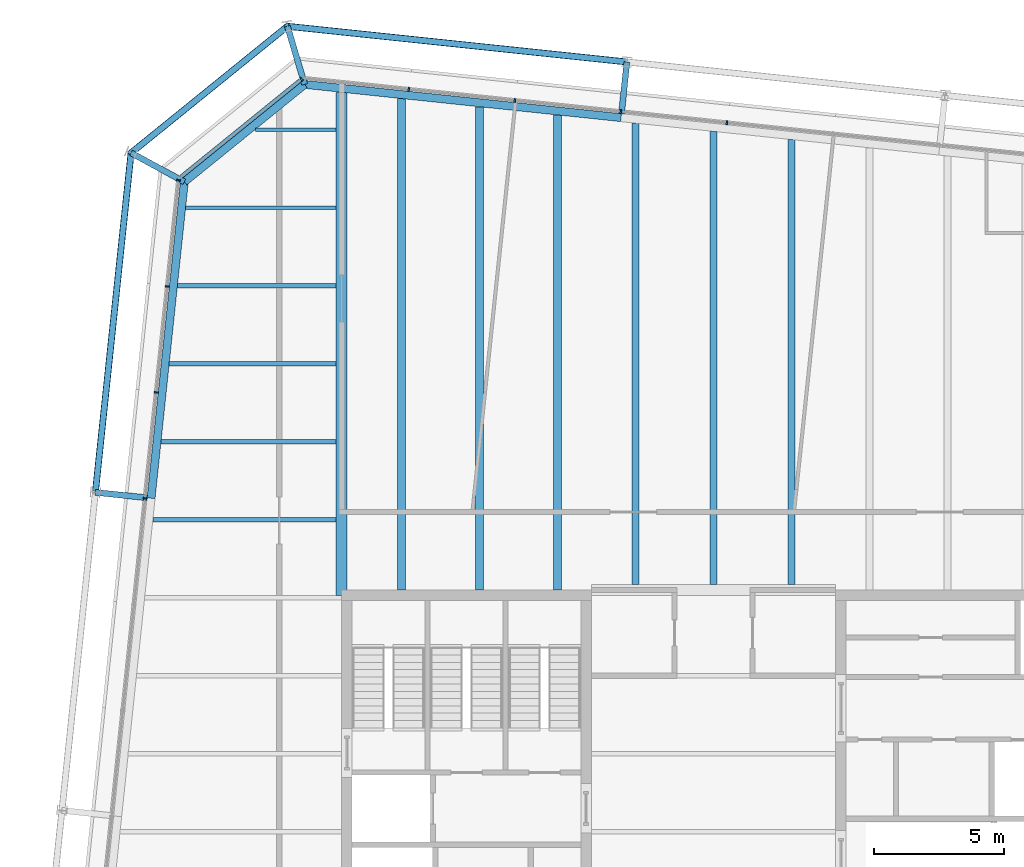
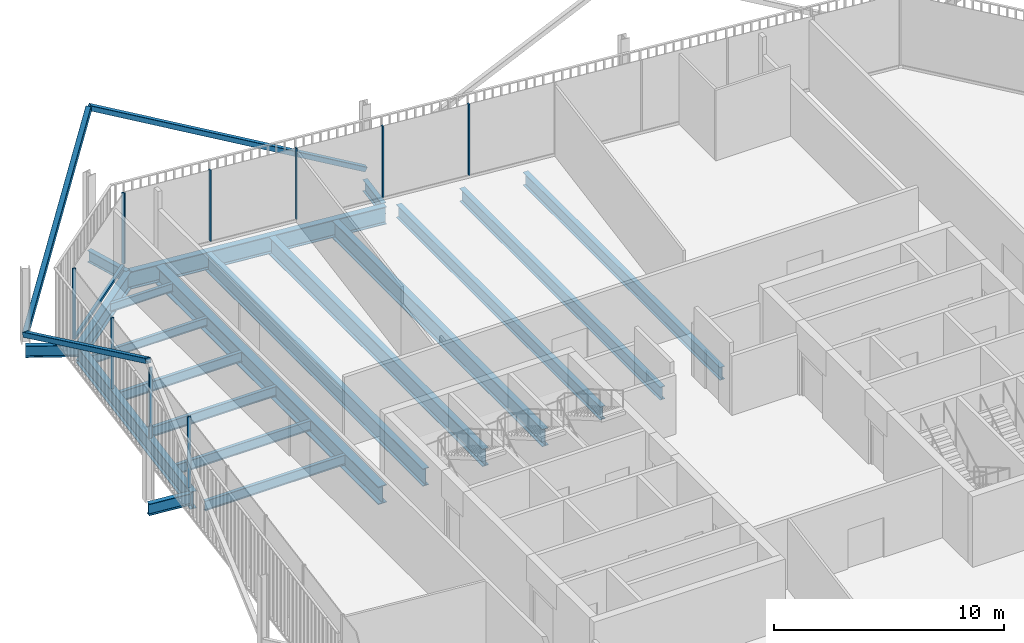
# One storey, part 12 of 21: 20 beams, 13 members, 3 elements without a shape of their own.
"""IFC4 building model written with IfcOpenShell, lengths in metres."""

import ifcopenshell
import ifcopenshell.guid

model = None  # the IFC model being written
_history = None  # IfcOwnerHistory: only IFC2X3 demands one
_inside = {}  # id of a spatial element -> (the spatial element, [elements in it])
_under = {}  # id of a project, library or spatial element -> (it, [spatial elements below it])
_declared = {}  # id of a project -> (the project, [libraries it declares])
_typed = {}  # id of a type object -> (the type object, [elements of that type])
_made_of = {}  # id of a material, layer set ... -> (it, [elements and type objects made of it])


def new_model(schema):
    """Start an empty IFC model of exactly this schema.

    Asked for "IFC4X3", IfcOpenShell would pick the latest addendum, in which some entities
    have other attributes; the version numbers below select the first issue.
    IFC2X3 requires an IfcOwnerHistory on every rooted entity: one is made here for all.
    """
    global model, _history
    if schema == "IFC4X3":
        model = ifcopenshell.file(schema_version=(4, 3, 0, 0))
    else:
        model = ifcopenshell.file(schema=schema)
    _inside.clear()
    _under.clear()
    _declared.clear()
    _typed.clear()
    _made_of.clear()
    _history = None
    if model.schema == "IFC2X3":
        org = make("IfcOrganization", Name="unknown")
        user = make(
            "IfcPersonAndOrganization",
            ThePerson=make("IfcPerson", FamilyName="unknown"),
            TheOrganization=org,
        )
        app = make(
            "IfcApplication",
            ApplicationDeveloper=org,
            Version="unknown",
            ApplicationFullName="unknown",
            ApplicationIdentifier="unknown",
        )
        _history = make(
            "IfcOwnerHistory",
            OwningUser=user,
            OwningApplication=app,
            ChangeAction="ADDED",
            CreationDate=0,
        )
    return model


def make(cls, **values):
    """One entity of the class cls with the attributes given. An attribute that is None is left unset."""
    return model.create_entity(
        cls, **{name: value for name, value in values.items() if value is not None}
    )


def rooted(cls, **values):
    """An entity with a GlobalId (a new one), such as an element, a storey or a relation."""
    return make(cls, GlobalId=ifcopenshell.guid.new(), OwnerHistory=_history, **values)


def si_unit(unit_type, name, prefix=None):
    """IfcSIUnit, for example si_unit("LENGTHUNIT", "METRE", prefix="MILLI")."""
    return make("IfcSIUnit", UnitType=unit_type, Prefix=prefix, Name=name)


def assignment(units):
    """IfcUnitAssignment: the units of a project."""
    return None if units is None else make("IfcUnitAssignment", Units=units)


def point(xyz):
    """IfcCartesianPoint."""
    return None if xyz is None else make("IfcCartesianPoint", Coordinates=xyz)


def direction(xyz):
    """IfcDirection."""
    return None if xyz is None else make("IfcDirection", DirectionRatios=xyz)


def frame(location, z_axis=None, x_axis=None):
    """IfcAxis2Placement3D, a coordinate frame: its origin and axes. An axis left out is left unset."""
    return make(
        "IfcAxis2Placement3D",
        Location=point(location),
        Axis=direction(z_axis),
        RefDirection=direction(x_axis),
    )


def frame_2d(location, x_axis=None):
    """IfcAxis2Placement2D, a coordinate frame in the plane: its origin and x axis."""
    return make(
        "IfcAxis2Placement2D", Location=point(location), RefDirection=direction(x_axis)
    )


def origin():
    """The frame at (0, 0, 0) with its axes left unset."""
    return frame((0.0, 0.0, 0.0))


def origin_2d():
    """The frame at (0, 0) in the plane with its x axis left unset."""
    return frame_2d((0.0, 0.0))


def place(relative_to, where):
    """IfcLocalPlacement: puts the frame where relative to a parent placement (None: the world)."""
    return make(
        "IfcLocalPlacement", PlacementRelTo=relative_to, RelativePlacement=where
    )


def context(
    kind, dimensions, precision=None, world=None, true_north=None, identifier=None
):
    """IfcGeometricRepresentationContext, for example the 3D "Model" context."""
    return make(
        "IfcGeometricRepresentationContext",
        ContextIdentifier=identifier,
        ContextType=kind,
        CoordinateSpaceDimension=dimensions,
        Precision=precision,
        WorldCoordinateSystem=world,
        TrueNorth=true_north,
    )


def subcontext(parent, identifier, kind, view, scale=None):
    """IfcGeometricRepresentationSubContext, for example "Body" below "Model"."""
    return make(
        "IfcGeometricRepresentationSubContext",
        ContextIdentifier=identifier,
        ContextType=kind,
        ParentContext=parent,
        TargetScale=scale,
        TargetView=view,
    )


def project(units=None, contexts=None):
    """IfcProject with its units and contexts."""
    return rooted(
        "IfcProject",
        Name="project",
        RepresentationContexts=contexts,
        UnitsInContext=assignment(units),
    )


def spatial(cls, under=None, at=None, **own):
    """A site, building, storey or space (cls), placed at a placement, below another one or the project."""
    s = rooted(cls, ObjectPlacement=at, **own)
    if under is not None:
        _under.setdefault(under.id(), (under, []))[1].append(s)
    return s


def profile(cls, at=None, kind="AREA", **sizes):
    """A parametric profile (cls). Its sizes go by their IFC names, for example OverallWidth=200.0."""
    return make(cls, ProfileType=kind, Position=at, **sizes)


def rectangle(**sizes):
    """IfcRectangleProfileDef."""
    return profile("IfcRectangleProfileDef", **sizes)


def hollow_rectangle(**sizes):
    """IfcRectangleHollowProfileDef."""
    return profile("IfcRectangleHollowProfileDef", **sizes)


def i_section(**sizes):
    """IfcIShapeProfileDef."""
    return profile("IfcIShapeProfileDef", **sizes)


def extrude(swept, where, along, depth):
    """IfcExtrudedAreaSolid: the profile swept, set in the frame where, extruded along a direction by depth."""
    return make(
        "IfcExtrudedAreaSolid",
        SweptArea=swept,
        Position=where,
        ExtrudedDirection=direction(along),
        Depth=depth,
    )


def shape(context_of_items, identifier, shape_type, items):
    """IfcShapeRepresentation: the items that make up one representation, for example the "Body"."""
    return make(
        "IfcShapeRepresentation",
        ContextOfItems=context_of_items,
        RepresentationIdentifier=identifier,
        RepresentationType=shape_type,
        Items=items,
    )


def material(Name=None, Category=None):
    """IfcMaterial."""
    return make("IfcMaterial", Name=Name, Category=Category)


def layer(
    of_material, thickness, ventilated=None, Name=None, Category=None, Priority=None
):
    """IfcMaterialLayer: one layer of a wall or slab, of a material (None: an air gap)."""
    return make(
        "IfcMaterialLayer",
        Material=of_material,
        LayerThickness=thickness,
        IsVentilated=ventilated,
        Name=Name,
        Category=Category,
        Priority=Priority,
    )


def layer_set(layers, Name=None):
    """IfcMaterialLayerSet."""
    return make("IfcMaterialLayerSet", MaterialLayers=layers, LayerSetName=Name)


def material_profile(
    of_material, cross_section, Name=None, Category=None, Priority=None
):
    """IfcMaterialProfile: a cross section and its material."""
    return make(
        "IfcMaterialProfile",
        Name=Name,
        Material=of_material,
        Profile=cross_section,
        Priority=Priority,
        Category=Category,
    )


def profile_set(profiles, Name=None, composite=None):
    """IfcMaterialProfileSet."""
    return make(
        "IfcMaterialProfileSet",
        Name=Name,
        MaterialProfiles=profiles,
        CompositeProfile=composite,
    )


def made_of(thing, what):
    """Note that an element or type object is made of a material, layer set ...; save() writes the relation."""
    if what is not None:
        _made_of.setdefault(what.id(), (what, []))[1].append(thing)
    return thing


def type_object(cls, material=None, **own):
    """A type object (cls), such as IfcWallType, which elements share."""
    return made_of(rooted(cls, **own), material)


def element(
    cls,
    number,
    at=None,
    inside=None,
    cuts=None,
    type_object=None,
    material=None,
    context=None,
    identifier="Body",
    shape_type=None,
    held_by="IfcProductDefinitionShape",
    body=None,
    shapes=None,
    **own,
):
    """One element of the class cls, such as IfcWall. Its Tag is "e" and its number.

    at: its placement. inside: the storey or other place that contains it. cuts: it is an
    opening in that element (IfcRelVoidsElement). A single representation is given by context,
    identifier, shape_type and body (its items); several are given by shapes. held_by: the class
    of the entity that holds the representations. save() writes the other relations.
    """
    e = rooted(cls, Tag="e%d" % number, ObjectPlacement=at, **own)
    if body is not None:
        shapes = [shape(context, identifier, shape_type, body)]
    if shapes is not None:
        e.Representation = make(held_by, Representations=shapes)
    if inside is not None:
        _inside.setdefault(inside.id(), (inside, []))[1].append(e)
    if cuts is not None:
        rooted(
            "IfcRelVoidsElement", RelatingBuildingElement=cuts, RelatedOpeningElement=e
        )
    if type_object is not None:
        _typed.setdefault(type_object.id(), (type_object, []))[1].append(e)
    return made_of(e, material)


def aggregate(whole, parts):
    """IfcRelAggregates: a whole, such as a stair, and the parts it consists of."""
    return rooted("IfcRelAggregates", RelatingObject=whole, RelatedObjects=parts)


def save(model, path):
    """Write the relations noted so far, then the file.

    IfcRelAggregates (storeys below a building ...), IfcRelContainedInSpatialStructure (elements
    in a storey), IfcRelDefinesByType, IfcRelAssociatesMaterial and IfcRelDeclares: one each for
    every whole, place, type object, material and project.
    """
    for whole, parts in _under.values():
        aggregate(whole, parts)
    for where, things in _inside.values():
        rooted(
            "IfcRelContainedInSpatialStructure",
            RelatedElements=things,
            RelatingStructure=where,
        )
    for kind, things in _typed.values():
        rooted("IfcRelDefinesByType", RelatedObjects=things, RelatingType=kind)
    for what, things in _made_of.values():
        rooted("IfcRelAssociatesMaterial", RelatedObjects=things, RelatingMaterial=what)
    for by, libraries in _declared.values():
        rooted("IfcRelDeclares", RelatingContext=by, RelatedDefinitions=libraries)
    model.write(path)


model = new_model("IFC4")

# Units and contexts
model_context = context("Model", 3, precision=1e-05, world=origin(), true_north=direction((0.0, 1.0)))
body_context = subcontext(model_context, "Body", "Model", "MODEL_VIEW")
ifc_project = project(units=[si_unit("LENGTHUNIT", "METRE"), si_unit("AREAUNIT", "SQUARE_METRE"), si_unit("VOLUMEUNIT", "CUBIC_METRE"), si_unit("PLANEANGLEUNIT", "RADIAN"), si_unit("MASSUNIT", "GRAM", prefix="KILO")], contexts=[model_context])

# Site, building, storey
site_placement = place(None, origin())
site = spatial("IfcSite", under=ifc_project, at=site_placement, CompositionType="ELEMENT")
building_placement = place(site_placement, origin())
building = spatial("IfcBuilding", under=site, at=building_placement, Name="Millrace Tower", CompositionType="ELEMENT")
storey_placement = place(building_placement, frame((0.0, 0.0, 299.39990234375)))
storey = spatial("IfcBuildingStorey", under=building, at=storey_placement, Name="L69", CompositionType="ELEMENT", Elevation=299.39990234375)

# Curtain wall, members
ifc_material_1 = material(Name="Aluminium and glass", Category="aluminium")
ifc_layer = layer(ifc_material_1, 0.14990234375)
ifc_layer_set = layer_set([ifc_layer], Name="Aluminium and glass")
curtain_wall_type = type_object("IfcCurtainWallType", Name="CW-1 office vision curtain wall", PredefinedType="NOTDEFINED", material=ifc_layer_set)
placement = place(storey_placement, origin())
curtain_wall_1 = element("IfcCurtainWall", 1, at=placement, inside=storey, type_object=curtain_wall_type, Name="Curtain wall E-F06 L69", PredefinedType="NOTDEFINED")
ifc_material_2 = material(Name="Aluminium", Category="aluminium")
ifc_material_profile_1 = material_profile(ifc_material_2, rectangle(XDim=0.06494140625, YDim=0.14990234375, at=origin_2d()))
ifc_profile_set_1 = profile_set([ifc_material_profile_1], Name="Aluminium")
member_type_1 = type_object("IfcMemberType", Name="CW-1 office vision curtain wall mullion", PredefinedType="MULLION", material=ifc_profile_set_1)
member_1_placement = place(storey_placement, frame((0.514892578125, 27.267578125, 0.14013671875), z_axis=(0.0, 0.0, 1.0), x_axis=(-0.994521896217, 0.104528455196, 0.0)))
member_1 = element("IfcMember", 2, at=member_1_placement, type_object=member_type_1, Name="CW1 mullion E-F06.6", PredefinedType="MULLION", context=body_context, shape_type="SweptSolid", body=[
    extrude(rectangle(XDim=0.06494140625, YDim=0.14990234375, at=origin_2d()), origin(), (0.0, 0.0, 1.0), 3.760009765625),
])
member_2_placement = place(storey_placement, frame((-3.562744140625, 27.6962890625, 0.14013671875), z_axis=(0.0, 0.0, 1.0), x_axis=(-0.994521896217, 0.104528455196, 0.0)))
member_2 = element("IfcMember", 3, at=member_2_placement, type_object=member_type_1, Name="CW1 mullion E-F06.7", PredefinedType="MULLION", context=body_context, shape_type="SweptSolid", body=[
    extrude(rectangle(XDim=0.06494140625, YDim=0.14990234375, at=origin_2d()), origin(), (0.0, 0.0, 1.0), 3.760009765625),
])
member_3_placement = place(storey_placement, frame((-7.640380859375, 28.124755859375, 0.14013671875), z_axis=(0.0, 0.0, 1.0), x_axis=(-0.994521896217, 0.104528455196, 0.0)))
member_3 = element("IfcMember", 4, at=member_3_placement, type_object=member_type_1, Name="CW1 mullion E-F06.8", PredefinedType="MULLION", context=body_context, shape_type="SweptSolid", body=[
    extrude(rectangle(XDim=0.06494140625, YDim=0.14990234375, at=origin_2d()), origin(), (0.0, 0.0, 1.0), 3.760009765625),
])
member_4_placement = place(storey_placement, frame((-11.7177734375, 28.55322265625, 0.14013671875), z_axis=(0.0, 0.0, 1.0), x_axis=(-0.994521896217, 0.104528455196, 0.0)))
member_4 = element("IfcMember", 5, at=member_4_placement, type_object=member_type_1, Name="CW1 mullion E-F06.9", PredefinedType="MULLION", context=body_context, shape_type="SweptSolid", body=[
    extrude(rectangle(XDim=0.06494140625, YDim=0.14990234375, at=origin_2d()), origin(), (0.0, 0.0, 1.0), 3.760009765625),
])
aggregate(curtain_wall_1, [member_1, member_2, member_3, member_4])

# Curtain wall, member
curtain_wall_2 = element("IfcCurtainWall", 6, at=placement, inside=storey, type_object=curtain_wall_type, Name="Curtain wall E-F07 L69", PredefinedType="NOTDEFINED")
member_5_placement = place(storey_placement, frame((-15.84326171875, 28.941650390625, 0.14013671875), z_axis=(0.0, 0.0, 1.0), x_axis=(-0.777146052237, -0.629320278945, 0.0)))
member_5 = element("IfcMember", 7, at=member_5_placement, type_object=member_type_1, Name="CW1 mullion E-F07.1", PredefinedType="MULLION", context=body_context, shape_type="SweptSolid", body=[
    extrude(rectangle(XDim=0.06494140625, YDim=0.14990234375, at=origin_2d()), origin(), (0.0, 0.0, 1.0), 3.760009765625),
])

# Curtain wall, members
curtain_wall_3 = element("IfcCurtainWall", 8, at=placement, inside=storey, type_object=curtain_wall_type, Name="Curtain wall E-F08 L69", PredefinedType="NOTDEFINED")
member_6_placement = place(storey_placement, frame((-20.57470703125, 25.052490234375, 0.14013671875), z_axis=(0.0, 0.0, 1.0), x_axis=(-0.104528455196, -0.994521896217, 0.0)))
member_6 = element("IfcMember", 9, at=member_6_placement, type_object=member_type_1, Name="CW1 mullion E-F08.1", PredefinedType="MULLION", context=body_context, shape_type="SweptSolid", body=[
    extrude(rectangle(XDim=0.06494140625, YDim=0.14990234375, at=origin_2d()), origin(), (0.0, 0.0, 1.0), 3.760009765625),
])
member_7_placement = place(storey_placement, frame((-21.00341796875, 20.974853515625, 0.14013671875), z_axis=(0.0, 0.0, 1.0), x_axis=(-0.104528455196, -0.994521896217, 0.0)))
member_7 = element("IfcMember", 10, at=member_7_placement, type_object=member_type_1, Name="CW1 mullion E-F08.2", PredefinedType="MULLION", context=body_context, shape_type="SweptSolid", body=[
    extrude(rectangle(XDim=0.06494140625, YDim=0.14990234375, at=origin_2d()), origin(), (0.0, 0.0, 1.0), 3.760009765625),
])
member_8_placement = place(storey_placement, frame((-21.431884765625, 16.8974609375, 0.14013671875), z_axis=(0.0, 0.0, 1.0), x_axis=(-0.104528455196, -0.994521896217, 0.0)))
member_8 = element("IfcMember", 11, at=member_8_placement, type_object=member_type_1, Name="CW1 mullion E-F08.3", PredefinedType="MULLION", context=body_context, shape_type="SweptSolid", body=[
    extrude(rectangle(XDim=0.06494140625, YDim=0.14990234375, at=origin_2d()), origin(), (0.0, 0.0, 1.0), 3.760009765625),
])
member_9_placement = place(storey_placement, frame((-21.860595703125, 12.81982421875, 0.14013671875), z_axis=(0.0, 0.0, 1.0), x_axis=(-0.104528455196, -0.994521896217, 0.0)))
member_9 = element("IfcMember", 12, at=member_9_placement, type_object=member_type_1, Name="CW1 mullion E-F08.4", PredefinedType="MULLION", context=body_context, shape_type="SweptSolid", body=[
    extrude(rectangle(XDim=0.06494140625, YDim=0.14990234375, at=origin_2d()), origin(), (0.0, 0.0, 1.0), 3.760009765625),
])
aggregate(curtain_wall_3, [member_6, member_7, member_8, member_9])

# Member
ifc_material_3 = material(Name="Aluminium", Category="aluminium")
ifc_material_profile_2 = material_profile(ifc_material_3, rectangle(XDim=0.14990234375, YDim=0.139892578125, at=origin_2d()))
ifc_profile_set_2 = profile_set([ifc_material_profile_2], Name="Aluminium")
member_type_2 = type_object("IfcMemberType", Name="CW-1 office vision curtain wall transom", PredefinedType="USERDEFINED", material=ifc_profile_set_2)
member_10_placement = place(storey_placement, frame((-15.895751953125, 28.899169921875, 0.070068359375), z_axis=(-0.777165591695, -0.629296148951, 0.0), x_axis=(0.629296148951, -0.777165591695, 0.0)))
member_10 = element("IfcMember", 13, at=member_10_placement, type_object=member_type_2, Name="CW1 transom E-F07.1", ObjectType="TRANSOM", PredefinedType="USERDEFINED", context=body_context, shape_type="SweptSolid", body=[
    extrude(rectangle(XDim=0.14990234375, YDim=0.139892578125, at=origin_2d()), origin(), (0.0, 0.0, 1.0), 5.881103515625),
])

aggregate(curtain_wall_2, [member_5, member_10])

# Members
ifc_material_4 = material(Name="Steel ASTM A500 Grade C", Category="steel")
ifc_material_profile_3 = material_profile(ifc_material_4, hollow_rectangle(XDim=0.25390625, YDim=0.25390625, WallThickness=0.0126953125, InnerFilletRadius=0.00634765625, OuterFilletRadius=0.01904296875, at=origin_2d()))
ifc_profile_set_3 = profile_set([ifc_material_profile_3], Name="Steel ASTM A500 Grade C")
member_type_3 = type_object("IfcMemberType", Name="Exoskeleton brace HSS10x10x1/2", PredefinedType="BRACE", material=ifc_profile_set_3)
member_11_placement = place(storey_placement, frame((-3.329345703125, 29.607177734375, 0.400146484375), z_axis=(-0.877568210125, 0.092238278747, 0.470495628578), x_axis=(-0.104530865473, -0.994521642883, 0.0)))
element("IfcMember", 14, at=member_11_placement, inside=storey, type_object=member_type_3, Name="BRC-E-L69-12", PredefinedType="BRACE", context=body_context, shape_type="SweptSolid", body=[
    extrude(hollow_rectangle(XDim=0.25390625, YDim=0.25390625, WallThickness=0.0126953125, InnerFilletRadius=0.00634765625, OuterFilletRadius=0.01904296875, at=origin_2d()), origin(), (0.0, 0.0, 1.0), 14.8779296875),
])
member_12_placement = place(storey_placement, frame((-22.399169921875, 26.10986328125, 0.400146484375), z_axis=(0.57631352586, 0.466694392708, 0.670864415308), x_axis=(-0.62932438279, 0.777142728993, 0.0)))
element("IfcMember", 15, at=member_12_placement, inside=storey, type_object=member_type_3, Name="BRC-E-L69-13", PredefinedType="BRACE", context=body_context, shape_type="SweptSolid", body=[
    extrude(hollow_rectangle(XDim=0.25390625, YDim=0.25390625, WallThickness=0.0126953125, InnerFilletRadius=0.00634765625, OuterFilletRadius=0.01904296875, at=origin_2d()), origin(), (0.0, 0.0, 1.0), 10.434326171875),
])
member_13_placement = place(storey_placement, frame((-22.399169921875, 26.10986328125, 0.400146484375), z_axis=(-0.092238278747, -0.877568210125, 0.470495628578), x_axis=(0.994521642883, -0.104530865473, 0.0)))
element("IfcMember", 16, at=member_13_placement, inside=storey, type_object=member_type_3, Name="BRC-E-L69-14", PredefinedType="BRACE", context=body_context, shape_type="SweptSolid", body=[
    extrude(hollow_rectangle(XDim=0.25390625, YDim=0.25390625, WallThickness=0.0126953125, InnerFilletRadius=0.00634765625, OuterFilletRadius=0.01904296875, at=origin_2d()), origin(), (0.0, 0.0, 1.0), 14.8779296875),
])

# Beams
ifc_material_5 = material(Name="Steel ASTM A992 Grade 50", Category="steel")
ifc_material_profile_4 = material_profile(ifc_material_5, i_section(OverallWidth=0.15234375, OverallDepth=0.449462890625, WebThickness=0.007568359375, FlangeThickness=0.0107421875, FilletRadius=0.01025390625, at=origin_2d()))
ifc_profile_set_4 = profile_set([ifc_material_profile_4], Name="Steel ASTM A992 Grade 50")
beam_type_1 = type_object("IfcBeamType", Name="Floor beam W18x35", PredefinedType="JOIST", material=ifc_profile_set_4)
beam_1_placement = place(storey_placement, frame((-20.301025390625, 24.0, -0.384765625), z_axis=(1.0, 0.0, 0.0), x_axis=(0.0, 1.0, 0.0)))
element("IfcBeam", 17, at=beam_1_placement, inside=storey, type_object=beam_type_1, Name="BM-E-L69-S1-S033", PredefinedType="JOIST", context=body_context, shape_type="SweptSolid", body=[
    extrude(i_section(OverallWidth=0.15234375, OverallDepth=0.449462890625, WebThickness=0.007568359375, FlangeThickness=0.0107421875, FilletRadius=0.01025390625, at=origin_2d()), origin(), (0.0, 0.0, 1.0), 5.79150390625),
])
beam_2_placement = place(storey_placement, frame((-17.609619140625, 27.0, -0.384765625), z_axis=(1.0, 0.0, 0.0), x_axis=(0.0, 1.0, 0.0)))
element("IfcBeam", 18, at=beam_2_placement, inside=storey, type_object=beam_type_1, Name="BM-E-L69-S1-S035", PredefinedType="JOIST", context=body_context, shape_type="SweptSolid", body=[
    extrude(i_section(OverallWidth=0.15234375, OverallDepth=0.449462890625, WebThickness=0.007568359375, FlangeThickness=0.0107421875, FilletRadius=0.01025390625, at=origin_2d()), origin(), (0.0, 0.0, 1.0), 3.10009765625),
])
ifc_material_6 = material(Name="Steel ASTM A992 Grade 50", Category="steel")
ifc_material_profile_5 = material_profile(ifc_material_6, i_section(OverallWidth=0.1650390625, OverallDepth=0.52587890625, WebThickness=0.0087890625, FlangeThickness=0.011474609375, FilletRadius=0.0126953125, at=origin_2d()))
ifc_profile_set_5 = profile_set([ifc_material_profile_5], Name="Steel ASTM A992 Grade 50")
beam_type_2 = type_object("IfcBeamType", Name="Floor beam W21x44", PredefinedType="JOIST", material=ifc_profile_set_5)
beam_3_placement = place(storey_placement, frame((-21.562255859375, 12.0, -0.4228515625), z_axis=(1.0, 0.0, 0.0), x_axis=(0.0, 1.0, 0.0)))
element("IfcBeam", 19, at=beam_3_placement, inside=storey, type_object=beam_type_2, Name="BM-E-L69-S1-S025", PredefinedType="JOIST", context=body_context, shape_type="SweptSolid", body=[
    extrude(i_section(OverallWidth=0.1650390625, OverallDepth=0.52587890625, WebThickness=0.0087890625, FlangeThickness=0.011474609375, FilletRadius=0.0126953125, at=origin_2d()), origin(), (0.0, 0.0, 1.0), 7.052734375),
])
beam_4_placement = place(storey_placement, frame((-21.246826171875, 15.0, -0.4228515625), z_axis=(1.0, 0.0, 0.0), x_axis=(0.0, 1.0, 0.0)))
element("IfcBeam", 20, at=beam_4_placement, inside=storey, type_object=beam_type_2, Name="BM-E-L69-S1-S027", PredefinedType="JOIST", context=body_context, shape_type="SweptSolid", body=[
    extrude(i_section(OverallWidth=0.1650390625, OverallDepth=0.52587890625, WebThickness=0.0087890625, FlangeThickness=0.011474609375, FilletRadius=0.0126953125, at=origin_2d()), origin(), (0.0, 0.0, 1.0), 6.7373046875),
])
beam_5_placement = place(storey_placement, frame((-20.931640625, 18.0, -0.4228515625), z_axis=(1.0, 0.0, 0.0), x_axis=(0.0, 1.0, 0.0)))
element("IfcBeam", 21, at=beam_5_placement, inside=storey, type_object=beam_type_2, Name="BM-E-L69-S1-S029", PredefinedType="JOIST", context=body_context, shape_type="SweptSolid", body=[
    extrude(i_section(OverallWidth=0.1650390625, OverallDepth=0.52587890625, WebThickness=0.0087890625, FlangeThickness=0.011474609375, FilletRadius=0.0126953125, at=origin_2d()), origin(), (0.0, 0.0, 1.0), 6.422119140625),
])
beam_6_placement = place(storey_placement, frame((-20.6162109375, 21.0, -0.4228515625), z_axis=(1.0, 0.0, 0.0), x_axis=(0.0, 1.0, 0.0)))
element("IfcBeam", 22, at=beam_6_placement, inside=storey, type_object=beam_type_2, Name="BM-E-L69-S1-S031", PredefinedType="JOIST", context=body_context, shape_type="SweptSolid", body=[
    extrude(i_section(OverallWidth=0.1650390625, OverallDepth=0.52587890625, WebThickness=0.0087890625, FlangeThickness=0.011474609375, FilletRadius=0.0126953125, at=origin_2d()), origin(), (0.0, 0.0, 1.0), 6.106689453125),
])
ifc_material_7 = material(Name="Steel ASTM A992 Grade 50", Category="steel")
ifc_material_profile_6 = material_profile(ifc_material_7, i_section(OverallWidth=0.256591796875, OverallDepth=0.693359375, WebThickness=0.014404296875, FlangeThickness=0.023681640625, FilletRadius=0.01513671875, at=origin_2d()))
ifc_profile_set_6 = profile_set([ifc_material_profile_6], Name="Steel ASTM A992 Grade 50")
beam_type_3 = type_object("IfcBeamType", Name="Floor beam W27x114", PredefinedType="JOIST", material=ifc_profile_set_6)
beam_7_placement = place(storey_placement, frame((-3.0, 9.509521484375, -0.506591796875), z_axis=(0.0, 1.0, 0.0), x_axis=(-1.0, 0.0, 0.0)))
element("IfcBeam", 23, at=beam_7_placement, inside=storey, type_object=beam_type_3, Name="BM-E-L69-S1-S042", PredefinedType="JOIST", context=body_context, shape_type="SweptSolid", body=[
    extrude(i_section(OverallWidth=0.256591796875, OverallDepth=0.693359375, WebThickness=0.014404296875, FlangeThickness=0.023681640625, FilletRadius=0.01513671875, at=origin_2d()), origin(), (0.0, 0.0, 1.0), 17.7431640625),
])
beam_8_placement = place(storey_placement, frame((0.0, 9.509521484375, -0.506591796875), z_axis=(0.0, 1.0, 0.0), x_axis=(-1.0, 0.0, 0.0)))
element("IfcBeam", 24, at=beam_8_placement, inside=storey, type_object=beam_type_3, Name="BM-E-L69-S1-S044", PredefinedType="JOIST", context=body_context, shape_type="SweptSolid", body=[
    extrude(i_section(OverallWidth=0.256591796875, OverallDepth=0.693359375, WebThickness=0.014404296875, FlangeThickness=0.023681640625, FilletRadius=0.01513671875, at=origin_2d()), origin(), (0.0, 0.0, 1.0), 17.427734375),
])
beam_9_placement = place(storey_placement, frame((3.0, 9.509521484375, -0.506591796875), z_axis=(0.0, 1.0, 0.0), x_axis=(-1.0, 0.0, 0.0)))
element("IfcBeam", 25, at=beam_9_placement, inside=storey, type_object=beam_type_3, Name="BM-E-L69-S1-S046", PredefinedType="JOIST", context=body_context, shape_type="SweptSolid", body=[
    extrude(i_section(OverallWidth=0.256591796875, OverallDepth=0.693359375, WebThickness=0.014404296875, FlangeThickness=0.023681640625, FilletRadius=0.01513671875, at=origin_2d()), origin(), (0.0, 0.0, 1.0), 17.112548828125),
])
ifc_material_8 = material(Name="Steel ASTM A992 Grade 50", Category="steel")
ifc_material_profile_7 = material_profile(ifc_material_8, i_section(OverallWidth=0.307373046875, OverallDepth=0.927001953125, WebThickness=0.01953125, FlangeThickness=0.031982421875, FilletRadius=0.01904296875, at=origin_2d()))
ifc_profile_set_7 = profile_set([ifc_material_profile_7], Name="Steel ASTM A992 Grade 50")
beam_type_4 = type_object("IfcBeamType", Name="Floor beam W36x194", PredefinedType="JOIST", material=ifc_profile_set_7)
beam_10_placement = place(storey_placement, frame((-12.0, 9.300048828125, -0.62353515625), z_axis=(0.0, 1.0, 0.0), x_axis=(-1.0, 0.0, 0.0)))
element("IfcBeam", 26, at=beam_10_placement, inside=storey, type_object=beam_type_4, Name="BM-E-L69-S1-S036", PredefinedType="JOIST", context=body_context, shape_type="SweptSolid", body=[
    extrude(i_section(OverallWidth=0.307373046875, OverallDepth=0.927001953125, WebThickness=0.01953125, FlangeThickness=0.031982421875, FilletRadius=0.01904296875, at=origin_2d()), origin(), (0.0, 0.0, 1.0), 18.8984375),
])
beam_11_placement = place(storey_placement, frame((-9.0, 9.300048828125, -0.62353515625), z_axis=(0.0, 1.0, 0.0), x_axis=(-1.0, 0.0, 0.0)))
element("IfcBeam", 27, at=beam_11_placement, inside=storey, type_object=beam_type_4, Name="BM-E-L69-S1-S038", PredefinedType="JOIST", context=body_context, shape_type="SweptSolid", body=[
    extrude(i_section(OverallWidth=0.307373046875, OverallDepth=0.927001953125, WebThickness=0.01953125, FlangeThickness=0.031982421875, FilletRadius=0.01904296875, at=origin_2d()), origin(), (0.0, 0.0, 1.0), 18.583251953125),
])
beam_12_placement = place(storey_placement, frame((-6.0, 9.300048828125, -0.62353515625), z_axis=(0.0, 1.0, 0.0), x_axis=(-1.0, 0.0, 0.0)))
element("IfcBeam", 28, at=beam_12_placement, inside=storey, type_object=beam_type_4, Name="BM-E-L69-S1-S040", PredefinedType="JOIST", context=body_context, shape_type="SweptSolid", body=[
    extrude(i_section(OverallWidth=0.307373046875, OverallDepth=0.927001953125, WebThickness=0.01953125, FlangeThickness=0.031982421875, FilletRadius=0.01904296875, at=origin_2d()), origin(), (0.0, 0.0, 1.0), 18.267822265625),
])
ifc_material_9 = material(Name="Steel ASTM A992 Grade 50", Category="steel")
ifc_material_profile_8 = material_profile(ifc_material_9, i_section(OverallWidth=0.424072265625, OverallDepth=0.947509765625, WebThickness=0.02392578125, FlangeThickness=0.042724609375, FilletRadius=0.024169921875, at=origin_2d()))
ifc_profile_set_8 = profile_set([ifc_material_profile_8], Name="Steel ASTM A992 Grade 50")
beam_type_5 = type_object("IfcBeamType", Name="Girder medium span W36x302", PredefinedType="BEAM", material=ifc_profile_set_8)
beam_13_placement = place(storey_placement, frame((-14.300048828125, 9.083984375, -0.633544921875), z_axis=(0.0, 1.0, 0.0), x_axis=(-1.0, 0.0, 0.0)))
element("IfcBeam", 29, at=beam_13_placement, inside=storey, type_object=beam_type_5, Name="BM-E-L69-S1-G054", PredefinedType="BEAM", context=body_context, shape_type="SweptSolid", body=[
    extrude(i_section(OverallWidth=0.424072265625, OverallDepth=0.947509765625, WebThickness=0.02392578125, FlangeThickness=0.042724609375, FilletRadius=0.024169921875, at=origin_2d()), origin(), (0.0, 0.0, 1.0), 19.356201171875),
])
ifc_material_10 = material(Name="Steel ASTM A992 Grade 50", Category="steel")
ifc_material_profile_9 = material_profile(ifc_material_10, i_section(OverallWidth=0.23046875, OverallDepth=0.6171875, WebThickness=0.01318359375, FlangeThickness=0.022216796875, FilletRadius=0.012939453125, at=origin_2d()))
ifc_profile_set_9 = profile_set([ifc_material_profile_9], Name="Steel ASTM A992 Grade 50")
beam_type_6 = type_object("IfcBeamType", Name="Link beam W24x94", PredefinedType="BEAM", material=ifc_profile_set_9)
beam_14_placement = place(storey_placement, frame((-21.782470703125, 12.84423828125, -0.468505859375), z_axis=(-0.994512808172, 0.104614886044, 0.0), x_axis=(-0.104614886044, -0.994512808172, 0.0)))
element("IfcBeam", 30, at=beam_14_placement, inside=storey, type_object=beam_type_6, Name="LNK-E-L69-S1-03", PredefinedType="BEAM", context=body_context, shape_type="SweptSolid", body=[
    extrude(i_section(OverallWidth=0.23046875, OverallDepth=0.6171875, WebThickness=0.01318359375, FlangeThickness=0.022216796875, FilletRadius=0.012939453125, at=origin_2d()), origin(), (0.0, 0.0, 1.0), 2.0),
])
for number, where, z_axis, x_axis, name in (
    (31, (-20.3505859375, 24.99755859375, -0.468505859375), (-0.87881453358, 0.477163510307, 0.0), (-0.477163510307, -0.87881453358, 0.0), "LNK-E-L69-S1-04"),
    (32, (-15.7236328125, 28.744384765625, -0.468505859375), (-0.284031275065, 0.958815015936, 0.0), (-0.958815015936, -0.284031275065, 0.0), "LNK-E-L69-S1-05"),
):
    element("IfcBeam", number, at=place(storey_placement, frame(where, z_axis=z_axis, x_axis=x_axis)), inside=storey, type_object=beam_type_6, Name=name, PredefinedType="BEAM", context=body_context, shape_type="SweptSolid", body=[
        extrude(i_section(OverallWidth=0.23046875, OverallDepth=0.6171875, WebThickness=0.01318359375, FlangeThickness=0.022216796875, FilletRadius=0.012939453125, at=origin_2d()), origin(), (0.0, 0.0, 1.0), 2.3310546875),
    ])
beam_15_placement = place(storey_placement, frame((-3.538330078125, 27.6181640625, -0.468505859375), z_axis=(0.104494148666, 0.99452550138, 0.0), x_axis=(-0.99452550138, 0.104494148666, 0.0)))
element("IfcBeam", 33, at=beam_15_placement, inside=storey, type_object=beam_type_6, Name="LNK-E-L69-S1-06", PredefinedType="BEAM", context=body_context, shape_type="SweptSolid", body=[
    extrude(i_section(OverallWidth=0.23046875, OverallDepth=0.6171875, WebThickness=0.01318359375, FlangeThickness=0.022216796875, FilletRadius=0.012939453125, at=origin_2d()), origin(), (0.0, 0.0, 1.0), 2.0),
])
ifc_material_11 = material(Name="Steel ASTM A992 Grade 50", Category="steel")
ifc_material_profile_10 = material_profile(ifc_material_11, i_section(OverallWidth=0.307373046875, OverallDepth=0.927001953125, WebThickness=0.01953125, FlangeThickness=0.031982421875, FilletRadius=0.01904296875, at=origin_2d()))
ifc_profile_set_10 = profile_set([ifc_material_profile_10], Name="Steel ASTM A992 Grade 50")
beam_type_7 = type_object("IfcBeamType", Name="Ring beam medium span W36x194", PredefinedType="SPANDREL", material=ifc_profile_set_10)
for number, where, z_axis, x_axis, name in (
    (34, (-21.629638671875, 12.828369140625, -0.62353515625), (0.104530030035, 0.994521730693, 0.0), (-0.994521730693, 0.104530030035, 0.0), "RNG-E-L69-S1-03"),
    (35, (-15.7236328125, 28.744384765625, -0.62353515625), (0.994521730693, -0.104530030035, 0.0), (0.104530030035, 0.994521730693, 0.0), "RNG-E-L69-S1-05"),
):
    element("IfcBeam", number, at=place(storey_placement, frame(where, z_axis=z_axis, x_axis=x_axis)), inside=storey, type_object=beam_type_7, Name=name, PredefinedType="SPANDREL", context=body_context, shape_type="SweptSolid", body=[
        extrude(i_section(OverallWidth=0.307373046875, OverallDepth=0.927001953125, WebThickness=0.01953125, FlangeThickness=0.031982421875, FilletRadius=0.01904296875, at=origin_2d()), origin(), (0.0, 0.0, 1.0), 12.236328125),
    ])
ifc_material_12 = material(Name="Steel ASTM A992 Grade 50", Category="steel")
ifc_material_profile_11 = material_profile(ifc_material_12, i_section(OverallWidth=0.307373046875, OverallDepth=0.927001953125, WebThickness=0.01953125, FlangeThickness=0.031982421875, FilletRadius=0.01904296875, at=origin_2d()))
ifc_profile_set_11 = profile_set([ifc_material_profile_11], Name="Steel ASTM A992 Grade 50")
beam_type_8 = type_object("IfcBeamType", Name="Ring beam short span W36x194", PredefinedType="SPANDREL", material=ifc_profile_set_11)
beam_16_placement = place(storey_placement, frame((-20.3505859375, 24.99755859375, -0.62353515625), z_axis=(0.777146502883, 0.629319722443, 0.0), x_axis=(-0.629319722443, 0.777146502883, 0.0)))
element("IfcBeam", 36, at=beam_16_placement, inside=storey, type_object=beam_type_8, Name="RNG-E-L69-S1-04", PredefinedType="SPANDREL", context=body_context, shape_type="SweptSolid", body=[
    extrude(i_section(OverallWidth=0.307373046875, OverallDepth=0.927001953125, WebThickness=0.01953125, FlangeThickness=0.031982421875, FilletRadius=0.01904296875, at=origin_2d()), origin(), (0.0, 0.0, 1.0), 5.953857421875),
])

save(model, "model.ifc")
